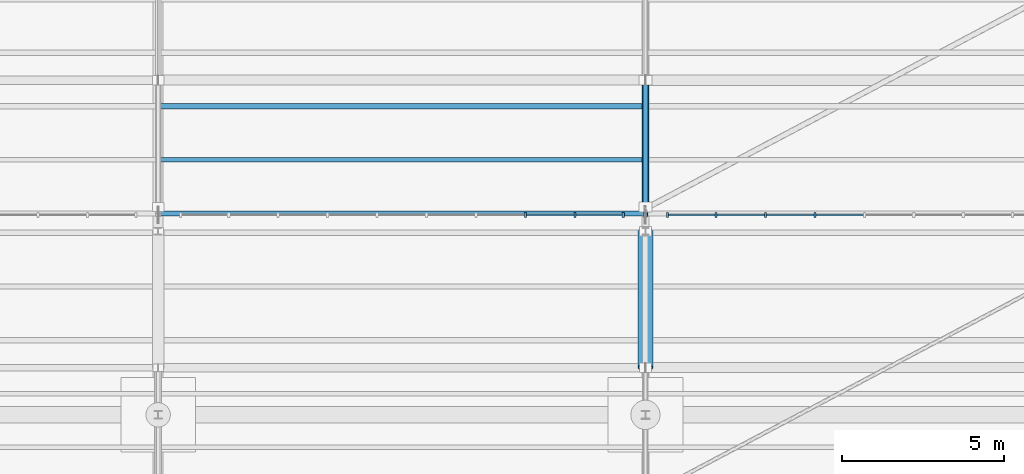
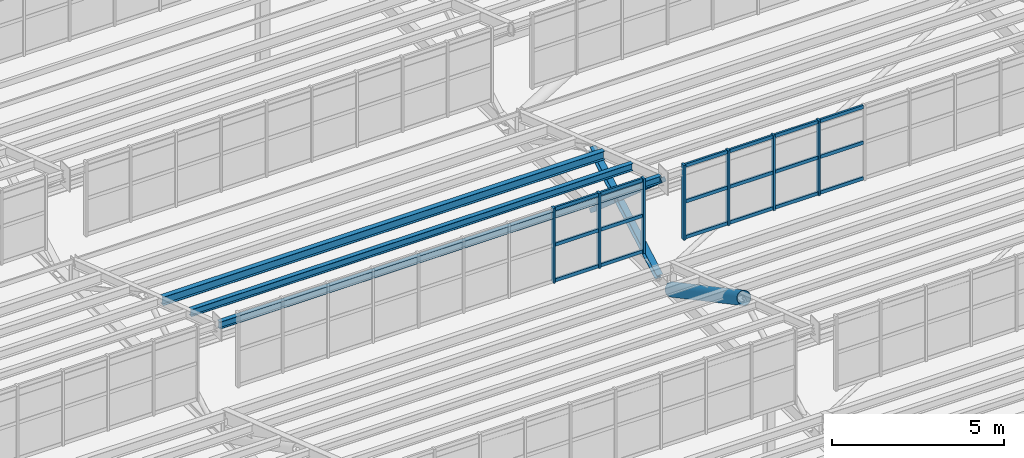
# One storey, part 83 of 285: 28 members, 3 beams, 2 elements without a shape of their own.
"""IFC4 building model written with IfcOpenShell, lengths in metres."""

from ifc_helpers import new_model, si_unit, direction, frame, origin, origin_2d, place, context, subcontext, project, spatial, rectangle, hollow_rectangle, hollow_circle, i_section, extrude, material, material_profile, profile_set, type_object, element, aggregate, save


model = new_model("IFC4")

# Units and contexts
model_context = context("Model", 3, precision=1e-05, world=origin(), true_north=direction((0.0, 1.0)))
body_context = subcontext(model_context, "Body", "Model", "MODEL_VIEW")
ifc_project = project(units=[si_unit("LENGTHUNIT", "METRE"), si_unit("AREAUNIT", "SQUARE_METRE"), si_unit("VOLUMEUNIT", "CUBIC_METRE"), si_unit("PLANEANGLEUNIT", "RADIAN"), si_unit("MASSUNIT", "GRAM", prefix="KILO")], contexts=[model_context])

# Site, building, storey
site_placement = place(None, origin())
site = spatial("IfcSite", under=ifc_project, at=site_placement, CompositionType="ELEMENT")
building_placement = place(site_placement, origin())
building = spatial("IfcBuilding", under=site, at=building_placement, Name="Solanera Park Tramway Depot", CompositionType="ELEMENT")
storey_placement = place(building_placement, origin())
storey = spatial("IfcBuildingStorey", under=building, at=storey_placement, Name="L00", CompositionType="ELEMENT", Elevation=0.0)

# Curtain wall, members
ifc_material_1 = material(Name="Bronze-anodised thermally broken aluminium curtain wall", Category="aluminium")
curtain_wall_type = type_object("IfcCurtainWallType", Name="Sawtooth Clerestory Monitor Curtain Wall", PredefinedType="NOTDEFINED", material=ifc_material_1)
curtain_wall_1_placement = place(storey_placement, origin())
curtain_wall_1 = element("IfcCurtainWall", 1, at=curtain_wall_1_placement, inside=storey, type_object=curtain_wall_type, Name="L00 Sawtooth Clerestory Monitor Curtain Wall #032", PredefinedType="NOTDEFINED")
ifc_material_2 = material(Name="Bronze-anodised structural aluminium 6063-T6", Category="aluminium")
ifc_material_profile_1 = material_profile(ifc_material_2, rectangle(XDim=0.06494140625, YDim=0.14990234375, at=origin_2d()), Name="Curtain Wall Mullion 65x150")
ifc_profile_set_1 = profile_set([ifc_material_profile_1], Name="Bronze-anodised structural aluminium 6063-T6")
member_type_1 = type_object("IfcMemberType", Name="Curtain Wall Mullion 65x150", PredefinedType="MULLION", material=ifc_profile_set_1)
member_1_placement = place(storey_placement, frame((86.3056640625, 91.14990234375, 7.75), z_axis=(0.0, 0.0, 1.0), x_axis=(1.0, 0.0, 0.0)))
member_1 = element("IfcMember", 2, at=member_1_placement, type_object=member_type_1, Name="CW-L00-032 Mullion 8", PredefinedType="MULLION", context=body_context, shape_type="SweptSolid", body=[
    extrude(rectangle(XDim=0.06494140625, YDim=0.14990234375, at=origin_2d()), origin(), (0.0, 0.0, 1.0), 2.6611328125),
])
member_2_placement = place(storey_placement, frame((87.827880859375, 91.14990234375, 7.75), z_axis=(0.0, 0.0, 1.0), x_axis=(1.0, 0.0, 0.0)))
member_2 = element("IfcMember", 3, at=member_2_placement, type_object=member_type_1, Name="CW-L00-032 Mullion 9", PredefinedType="MULLION", context=body_context, shape_type="SweptSolid", body=[
    extrude(rectangle(XDim=0.06494140625, YDim=0.14990234375, at=origin_2d()), origin(), (0.0, 0.0, 1.0), 2.6611328125),
])
member_3_placement = place(storey_placement, frame((89.3173828125, 91.14990234375, 7.75), z_axis=(0.0, 0.0, 1.0), x_axis=(1.0, 0.0, 0.0)))
member_3 = element("IfcMember", 4, at=member_3_placement, type_object=member_type_1, Name="CW-L00-032 Mullion 10", PredefinedType="MULLION", context=body_context, shape_type="SweptSolid", body=[
    extrude(rectangle(XDim=0.06494140625, YDim=0.14990234375, at=origin_2d()), origin(), (0.0, 0.0, 1.0), 2.6611328125),
])

curtain_wall_2_placement = place(storey_placement, origin())
curtain_wall_2 = element("IfcCurtainWall", 5, at=curtain_wall_2_placement, inside=storey, type_object=curtain_wall_type, Name="L00 Sawtooth Clerestory Monitor Curtain Wall #033", PredefinedType="NOTDEFINED")
member_4_placement = place(storey_placement, frame((90.6826171875, 91.14990234375, 7.75), z_axis=(0.0, 0.0, 1.0), x_axis=(1.0, 0.0, 0.0)))
member_4 = element("IfcMember", 6, at=member_4_placement, type_object=member_type_1, Name="CW-L00-033 Mullion 1", PredefinedType="MULLION", context=body_context, shape_type="SweptSolid", body=[
    extrude(rectangle(XDim=0.06494140625, YDim=0.14990234375, at=origin_2d()), origin(), (0.0, 0.0, 1.0), 2.6611328125),
])
member_5_placement = place(storey_placement, frame((92.172119140625, 91.14990234375, 7.75), z_axis=(0.0, 0.0, 1.0), x_axis=(1.0, 0.0, 0.0)))
member_5 = element("IfcMember", 7, at=member_5_placement, type_object=member_type_1, Name="CW-L00-033 Mullion 2", PredefinedType="MULLION", context=body_context, shape_type="SweptSolid", body=[
    extrude(rectangle(XDim=0.06494140625, YDim=0.14990234375, at=origin_2d()), origin(), (0.0, 0.0, 1.0), 2.6611328125),
])
member_6_placement = place(storey_placement, frame((93.6943359375, 91.14990234375, 7.75), z_axis=(0.0, 0.0, 1.0), x_axis=(1.0, 0.0, 0.0)))
member_6 = element("IfcMember", 8, at=member_6_placement, type_object=member_type_1, Name="CW-L00-033 Mullion 3", PredefinedType="MULLION", context=body_context, shape_type="SweptSolid", body=[
    extrude(rectangle(XDim=0.06494140625, YDim=0.14990234375, at=origin_2d()), origin(), (0.0, 0.0, 1.0), 2.6611328125),
])
member_7_placement = place(storey_placement, frame((95.216796875, 91.14990234375, 7.75), z_axis=(0.0, 0.0, 1.0), x_axis=(1.0, 0.0, 0.0)))
member_7 = element("IfcMember", 9, at=member_7_placement, type_object=member_type_1, Name="CW-L00-033 Mullion 4", PredefinedType="MULLION", context=body_context, shape_type="SweptSolid", body=[
    extrude(rectangle(XDim=0.06494140625, YDim=0.14990234375, at=origin_2d()), origin(), (0.0, 0.0, 1.0), 2.6611328125),
])

# Member
ifc_material_3 = material(Name="Bronze-anodised structural aluminium 6063-T6", Category="aluminium")
ifc_material_profile_2 = material_profile(ifc_material_3, rectangle(XDim=0.06494140625, YDim=0.1201171875, at=origin_2d()), Name="Curtain Wall Transom 65x120")
ifc_profile_set_2 = profile_set([ifc_material_profile_2], Name="Bronze-anodised structural aluminium 6063-T6")
member_type_2 = type_object("IfcMemberType", Name="Curtain Wall Transom 65x120", PredefinedType="USERDEFINED", material=ifc_profile_set_2)
member_8_placement = place(storey_placement, frame((86.33349609375, 91.14990234375, 7.81005859375), z_axis=(1.0, 0.0, 0.0), x_axis=(0.0, 1.0, 0.0)))
member_8 = element("IfcMember", 10, at=member_8_placement, type_object=member_type_2, Name="CW-L00-032 Transom R1.C8", ObjectType="TRANSOM", PredefinedType="USERDEFINED", context=body_context, shape_type="SweptSolid", body=[
    extrude(rectangle(XDim=0.06494140625, YDim=0.1201171875, at=origin_2d()), origin(), (0.0, 0.0, 1.0), 1.46630859375),
])

member_9_placement = place(storey_placement, frame((87.855712890625, 91.14990234375, 7.81005859375), z_axis=(1.0, 0.0, 0.0), x_axis=(0.0, 1.0, 0.0)))
member_9 = element("IfcMember", 11, at=member_9_placement, type_object=member_type_2, Name="CW-L00-032 Transom R1.C9", ObjectType="TRANSOM", PredefinedType="USERDEFINED", context=body_context, shape_type="SweptSolid", body=[
    extrude(rectangle(XDim=0.06494140625, YDim=0.1201171875, at=origin_2d()), origin(), (0.0, 0.0, 1.0), 1.433837890625),
])

member_10_placement = place(storey_placement, frame((86.33349609375, 91.14990234375, 9.08056640625), z_axis=(1.0, 0.0, 0.0), x_axis=(0.0, 1.0, 0.0)))
member_10 = element("IfcMember", 12, at=member_10_placement, type_object=member_type_2, Name="CW-L00-032 Transom R2.C8", ObjectType="TRANSOM", PredefinedType="USERDEFINED", context=body_context, shape_type="SweptSolid", body=[
    extrude(rectangle(XDim=0.06494140625, YDim=0.1201171875, at=origin_2d()), origin(), (0.0, 0.0, 1.0), 1.46630859375),
])

member_11_placement = place(storey_placement, frame((87.855712890625, 91.14990234375, 9.08056640625), z_axis=(1.0, 0.0, 0.0), x_axis=(0.0, 1.0, 0.0)))
member_11 = element("IfcMember", 13, at=member_11_placement, type_object=member_type_2, Name="CW-L00-032 Transom R2.C9", ObjectType="TRANSOM", PredefinedType="USERDEFINED", context=body_context, shape_type="SweptSolid", body=[
    extrude(rectangle(XDim=0.06494140625, YDim=0.1201171875, at=origin_2d()), origin(), (0.0, 0.0, 1.0), 1.433837890625),
])

member_12_placement = place(storey_placement, frame((86.33349609375, 91.14990234375, 10.351318359375), z_axis=(1.0, 0.0, 0.0), x_axis=(0.0, 1.0, 0.0)))
member_12 = element("IfcMember", 14, at=member_12_placement, type_object=member_type_2, Name="CW-L00-032 Transom R3.C8", ObjectType="TRANSOM", PredefinedType="USERDEFINED", context=body_context, shape_type="SweptSolid", body=[
    extrude(rectangle(XDim=0.06494140625, YDim=0.1201171875, at=origin_2d()), origin(), (0.0, 0.0, 1.0), 1.46630859375),
])

member_13_placement = place(storey_placement, frame((87.855712890625, 91.14990234375, 10.351318359375), z_axis=(1.0, 0.0, 0.0), x_axis=(0.0, 1.0, 0.0)))
member_13 = element("IfcMember", 15, at=member_13_placement, type_object=member_type_2, Name="CW-L00-032 Transom R3.C9", ObjectType="TRANSOM", PredefinedType="USERDEFINED", context=body_context, shape_type="SweptSolid", body=[
    extrude(rectangle(XDim=0.06494140625, YDim=0.1201171875, at=origin_2d()), origin(), (0.0, 0.0, 1.0), 1.433837890625),
])

aggregate(curtain_wall_1, [member_1, member_2, member_3, member_8, member_9, member_10, member_11, member_12, member_13])

member_14_placement = place(storey_placement, frame((90.71044921875, 91.14990234375, 7.81005859375), z_axis=(1.0, 0.0, 0.0), x_axis=(0.0, 1.0, 0.0)))
member_14 = element("IfcMember", 16, at=member_14_placement, type_object=member_type_2, Name="CW-L00-033 Transom R1.C1", ObjectType="TRANSOM", PredefinedType="USERDEFINED", context=body_context, shape_type="SweptSolid", body=[
    extrude(rectangle(XDim=0.06494140625, YDim=0.1201171875, at=origin_2d()), origin(), (0.0, 0.0, 1.0), 1.433837890625),
])

member_15_placement = place(storey_placement, frame((92.2001953125, 91.14990234375, 7.81005859375), z_axis=(1.0, 0.0, 0.0), x_axis=(0.0, 1.0, 0.0)))
member_15 = element("IfcMember", 17, at=member_15_placement, type_object=member_type_2, Name="CW-L00-033 Transom R1.C2", ObjectType="TRANSOM", PredefinedType="USERDEFINED", context=body_context, shape_type="SweptSolid", body=[
    extrude(rectangle(XDim=0.06494140625, YDim=0.1201171875, at=origin_2d()), origin(), (0.0, 0.0, 1.0), 1.46630859375),
])

member_16_placement = place(storey_placement, frame((93.722412109375, 91.14990234375, 7.81005859375), z_axis=(1.0, 0.0, 0.0), x_axis=(0.0, 1.0, 0.0)))
member_16 = element("IfcMember", 18, at=member_16_placement, type_object=member_type_2, Name="CW-L00-033 Transom R1.C3", ObjectType="TRANSOM", PredefinedType="USERDEFINED", context=body_context, shape_type="SweptSolid", body=[
    extrude(rectangle(XDim=0.06494140625, YDim=0.1201171875, at=origin_2d()), origin(), (0.0, 0.0, 1.0), 1.46630859375),
])

member_17_placement = place(storey_placement, frame((95.24462890625, 91.14990234375, 7.81005859375), z_axis=(1.0, 0.0, 0.0), x_axis=(0.0, 1.0, 0.0)))
member_17 = element("IfcMember", 19, at=member_17_placement, type_object=member_type_2, Name="CW-L00-033 Transom R1.C4", ObjectType="TRANSOM", PredefinedType="USERDEFINED", context=body_context, shape_type="SweptSolid", body=[
    extrude(rectangle(XDim=0.06494140625, YDim=0.1201171875, at=origin_2d()), origin(), (0.0, 0.0, 1.0), 1.46630859375),
])

member_18_placement = place(storey_placement, frame((90.71044921875, 91.14990234375, 9.08056640625), z_axis=(1.0, 0.0, 0.0), x_axis=(0.0, 1.0, 0.0)))
member_18 = element("IfcMember", 20, at=member_18_placement, type_object=member_type_2, Name="CW-L00-033 Transom R2.C1", ObjectType="TRANSOM", PredefinedType="USERDEFINED", context=body_context, shape_type="SweptSolid", body=[
    extrude(rectangle(XDim=0.06494140625, YDim=0.1201171875, at=origin_2d()), origin(), (0.0, 0.0, 1.0), 1.433837890625),
])

member_19_placement = place(storey_placement, frame((92.2001953125, 91.14990234375, 9.08056640625), z_axis=(1.0, 0.0, 0.0), x_axis=(0.0, 1.0, 0.0)))
member_19 = element("IfcMember", 21, at=member_19_placement, type_object=member_type_2, Name="CW-L00-033 Transom R2.C2", ObjectType="TRANSOM", PredefinedType="USERDEFINED", context=body_context, shape_type="SweptSolid", body=[
    extrude(rectangle(XDim=0.06494140625, YDim=0.1201171875, at=origin_2d()), origin(), (0.0, 0.0, 1.0), 1.46630859375),
])

member_20_placement = place(storey_placement, frame((93.722412109375, 91.14990234375, 9.08056640625), z_axis=(1.0, 0.0, 0.0), x_axis=(0.0, 1.0, 0.0)))
member_20 = element("IfcMember", 22, at=member_20_placement, type_object=member_type_2, Name="CW-L00-033 Transom R2.C3", ObjectType="TRANSOM", PredefinedType="USERDEFINED", context=body_context, shape_type="SweptSolid", body=[
    extrude(rectangle(XDim=0.06494140625, YDim=0.1201171875, at=origin_2d()), origin(), (0.0, 0.0, 1.0), 1.46630859375),
])

member_21_placement = place(storey_placement, frame((95.24462890625, 91.14990234375, 9.08056640625), z_axis=(1.0, 0.0, 0.0), x_axis=(0.0, 1.0, 0.0)))
member_21 = element("IfcMember", 23, at=member_21_placement, type_object=member_type_2, Name="CW-L00-033 Transom R2.C4", ObjectType="TRANSOM", PredefinedType="USERDEFINED", context=body_context, shape_type="SweptSolid", body=[
    extrude(rectangle(XDim=0.06494140625, YDim=0.1201171875, at=origin_2d()), origin(), (0.0, 0.0, 1.0), 1.46630859375),
])

member_22_placement = place(storey_placement, frame((90.71044921875, 91.14990234375, 10.351318359375), z_axis=(1.0, 0.0, 0.0), x_axis=(0.0, 1.0, 0.0)))
member_22 = element("IfcMember", 24, at=member_22_placement, type_object=member_type_2, Name="CW-L00-033 Transom R3.C1", ObjectType="TRANSOM", PredefinedType="USERDEFINED", context=body_context, shape_type="SweptSolid", body=[
    extrude(rectangle(XDim=0.06494140625, YDim=0.1201171875, at=origin_2d()), origin(), (0.0, 0.0, 1.0), 1.433837890625),
])

member_23_placement = place(storey_placement, frame((92.2001953125, 91.14990234375, 10.351318359375), z_axis=(1.0, 0.0, 0.0), x_axis=(0.0, 1.0, 0.0)))
member_23 = element("IfcMember", 25, at=member_23_placement, type_object=member_type_2, Name="CW-L00-033 Transom R3.C2", ObjectType="TRANSOM", PredefinedType="USERDEFINED", context=body_context, shape_type="SweptSolid", body=[
    extrude(rectangle(XDim=0.06494140625, YDim=0.1201171875, at=origin_2d()), origin(), (0.0, 0.0, 1.0), 1.46630859375),
])

member_24_placement = place(storey_placement, frame((93.722412109375, 91.14990234375, 10.351318359375), z_axis=(1.0, 0.0, 0.0), x_axis=(0.0, 1.0, 0.0)))
member_24 = element("IfcMember", 26, at=member_24_placement, type_object=member_type_2, Name="CW-L00-033 Transom R3.C3", ObjectType="TRANSOM", PredefinedType="USERDEFINED", context=body_context, shape_type="SweptSolid", body=[
    extrude(rectangle(XDim=0.06494140625, YDim=0.1201171875, at=origin_2d()), origin(), (0.0, 0.0, 1.0), 1.46630859375),
])

member_25_placement = place(storey_placement, frame((95.24462890625, 91.14990234375, 10.351318359375), z_axis=(1.0, 0.0, 0.0), x_axis=(0.0, 1.0, 0.0)))
member_25 = element("IfcMember", 27, at=member_25_placement, type_object=member_type_2, Name="CW-L00-033 Transom R3.C4", ObjectType="TRANSOM", PredefinedType="USERDEFINED", context=body_context, shape_type="SweptSolid", body=[
    extrude(rectangle(XDim=0.06494140625, YDim=0.1201171875, at=origin_2d()), origin(), (0.0, 0.0, 1.0), 1.46630859375),
])

aggregate(curtain_wall_2, [member_4, member_5, member_6, member_7, member_14, member_15, member_16, member_17, member_18, member_19, member_20, member_21, member_22, member_23, member_24, member_25])

ifc_material_4 = material(Name="Steel AS/NZS 3679.1 Grade 350", Category="steel")
ifc_material_profile_3 = material_profile(ifc_material_4, i_section(OverallWidth=0.205078125, OverallDepth=0.209716796875, WebThickness=0.00927734375, FlangeThickness=0.01416015625, at=origin_2d()), Name="200UC59.5")
ifc_profile_set_3 = profile_set([ifc_material_profile_3], Name="Steel AS/NZS 3679.1 Grade 350")
member_type_3 = type_object("IfcMemberType", Name="Roof Gantry Compression Strut 200UC59.5", PredefinedType="STRUT", material=ifc_profile_set_3)
member_26_placement = place(storey_placement, frame((90.0, 91.39990234375, 6.5), z_axis=(0.0, 0.869215843308, 0.494432824297), x_axis=(-1.0, 0.0, 0.0)))
element("IfcMember", 28, at=member_26_placement, inside=storey, type_object=member_type_3, Name="Sawtooth ROOF TRUSS Strut 200UC59.5 #0199", PredefinedType="STRUT", context=body_context, shape_type="SweptSolid", body=[
    extrude(i_section(OverallWidth=0.205078125, OverallDepth=0.209716796875, WebThickness=0.00927734375, FlangeThickness=0.01416015625, at=origin_2d()), origin(), (0.0, 0.0, 1.0), 4.487060546875),
])

# Beams
ifc_material_5 = material(Name="Steel AS/NZS 3679.1 Grade 350", Category="steel")
ifc_material_profile_4 = material_profile(ifc_material_5, i_section(OverallWidth=0.14599609375, OverallDepth=0.251708984375, WebThickness=0.006103515625, FlangeThickness=0.008544921875, at=origin_2d()), Name="250UB31.4")
ifc_profile_set_4 = profile_set([ifc_material_profile_4], Name="Steel AS/NZS 3679.1 Grade 350")
beam_type_1 = type_object("IfcBeamType", Name="Steel Joist Purlin 250UB31.4", PredefinedType="JOIST", material=ifc_profile_set_4)
beam_1_placement = place(storey_placement, frame((75.074951171875, 91.199951171875, 10.139892578125), z_axis=(1.0, 0.0, 0.0), x_axis=(0.0, 1.0, 0.0)))
element("IfcBeam", 29, at=beam_1_placement, inside=storey, type_object=beam_type_1, Name="Sawtooth Roof Purlin 250UB31.4 B05.1", PredefinedType="JOIST", context=body_context, shape_type="SweptSolid", body=[
    extrude(i_section(OverallWidth=0.14599609375, OverallDepth=0.251708984375, WebThickness=0.006103515625, FlangeThickness=0.008544921875, at=origin_2d()), origin(), (0.0, 0.0, 1.0), 14.84716796875),
])
ifc_material_6 = material(Name="Steel AS/NZS 3679.1 Grade 350", Category="steel")
ifc_material_profile_5 = material_profile(ifc_material_6, i_section(OverallWidth=0.146484375, OverallDepth=0.256103515625, WebThickness=0.00634765625, FlangeThickness=0.010986328125, at=origin_2d()), Name="250UB37.3")
ifc_profile_set_5 = profile_set([ifc_material_profile_5], Name="Steel AS/NZS 3679.1 Grade 350")
beam_type_2 = type_object("IfcBeamType", Name="Steel Joist Purlin 250UB37.3", PredefinedType="JOIST", material=ifc_profile_set_5)
beam_2_placement = place(storey_placement, frame((75.074951171875, 92.85009765625, 9.58544921875), z_axis=(1.0, 0.0, 0.0), x_axis=(0.0, 1.0, 0.0)))
element("IfcBeam", 30, at=beam_2_placement, inside=storey, type_object=beam_type_2, Name="Sawtooth Roof Purlin 250UB37.3 B05.2", PredefinedType="JOIST", context=body_context, shape_type="SweptSolid", body=[
    extrude(i_section(OverallWidth=0.146484375, OverallDepth=0.256103515625, WebThickness=0.00634765625, FlangeThickness=0.010986328125, at=origin_2d()), origin(), (0.0, 0.0, 1.0), 14.84716796875),
])
ifc_material_7 = material(Name="Steel AS/NZS 3679.1 Grade 350", Category="steel")
ifc_material_profile_6 = material_profile(ifc_material_7, i_section(OverallWidth=0.1650390625, OverallDepth=0.3037109375, WebThickness=0.006103515625, FlangeThickness=0.01025390625, at=origin_2d()), Name="310UB40.4")
ifc_profile_set_6 = profile_set([ifc_material_profile_6], Name="Steel AS/NZS 3679.1 Grade 350")
beam_type_3 = type_object("IfcBeamType", Name="Steel Joist Purlin 310UB40.4", PredefinedType="JOIST", material=ifc_profile_set_6)
beam_3_placement = place(storey_placement, frame((75.074951171875, 94.5, 9.00634765625), z_axis=(1.0, 0.0, 0.0), x_axis=(0.0, 1.0, 0.0)))
element("IfcBeam", 31, at=beam_3_placement, inside=storey, type_object=beam_type_3, Name="Sawtooth Roof Purlin 310UB40.4 B05.3", PredefinedType="JOIST", context=body_context, shape_type="SweptSolid", body=[
    extrude(i_section(OverallWidth=0.1650390625, OverallDepth=0.3037109375, WebThickness=0.006103515625, FlangeThickness=0.01025390625, at=origin_2d()), origin(), (0.0, 0.0, 1.0), 14.84716796875),
])

# Members
ifc_material_8 = material(Name="Steel AS/NZS 1163 Grade C350L0", Category="steel")
ifc_material_profile_7 = material_profile(ifc_material_8, hollow_rectangle(XDim=0.14990234375, YDim=0.14990234375, WallThickness=0.006103515625, at=origin_2d()), Name="150x150x6.0 SHS")
ifc_profile_set_7 = profile_set([ifc_material_profile_7], Name="Steel AS/NZS 1163 Grade C350L0")
member_type_4 = type_object("IfcMemberType", Name="Truss and Frame Brace 150x150x6.0 SHS", PredefinedType="BRACE", material=ifc_profile_set_7)
member_27_placement = place(storey_placement, frame((90.0, 95.300048828125, 6.5), z_axis=(0.0, -0.754775645554, 0.655983021791), x_axis=(1.0, 0.0, 0.0)))
element("IfcMember", 32, at=member_27_placement, inside=storey, type_object=member_type_4, Name="Sawtooth ROOF TRUSS Web Brace 150x150x6.0 SHS #0197", PredefinedType="BRACE", context=body_context, shape_type="SweptSolid", body=[
    extrude(hollow_rectangle(XDim=0.14990234375, YDim=0.14990234375, WallThickness=0.006103515625, at=origin_2d()), origin(), (0.0, 0.0, 1.0), 5.49853515625),
])
ifc_material_9 = material(Name="Steel AS/NZS 1163 Grade C350L0", Category="steel")
ifc_material_profile_8 = material_profile(ifc_material_9, hollow_circle(Radius=0.228515625, WallThickness=0.0126953125, at=origin_2d()), Name="457.0x12.7 CHS")
ifc_profile_set_8 = profile_set([ifc_material_profile_8], Name="Steel AS/NZS 1163 Grade C350L0")
member_type_5 = type_object("IfcMemberType", Name="Truss and Frame Brace 457.0x12.7 CHS", PredefinedType="BRACE", material=ifc_profile_set_8)
member_28_placement = place(storey_placement, frame((90.0, 90.64990234375, 6.5), z_axis=(0.0, -0.882117205046, 0.471029974165), x_axis=(1.0, 0.0, 0.0)))
element("IfcMember", 33, at=member_28_placement, inside=storey, type_object=member_type_5, Name="Sawtooth ROOF TRUSS Diagonal 457.0x12.7 CHS #0151", PredefinedType="BRACE", context=body_context, shape_type="SweptSolid", body=[
    extrude(hollow_circle(Radius=0.228515625, WallThickness=0.0126953125, at=origin_2d()), origin(), (0.0, 0.0, 1.0), 4.76123046875),
])

save(model, "model.ifc")
